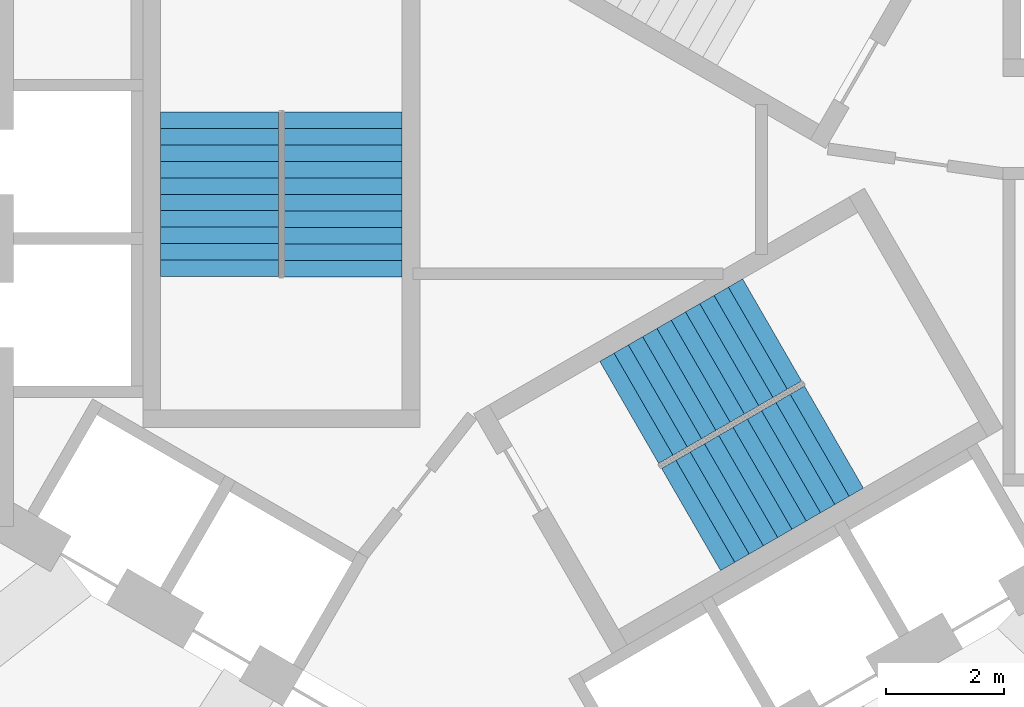
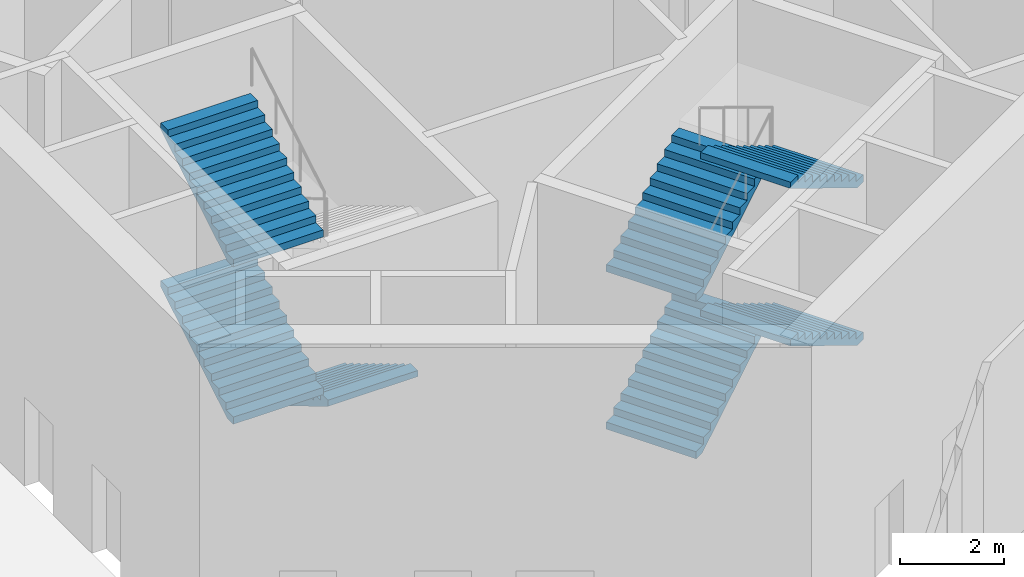
# One storey, part 11 of 16: 7 stair flights, 2 elements without a shape of their own.
"""IFC4 building model written with IfcOpenShell, lengths in metres."""

from ifc_helpers import new_model, si_unit, direction, frame, origin, place, context, subcontext, project, spatial, triangles, source, transform, mapped, material, type_object, element, aggregate, save


model = new_model("IFC4")

# Units and contexts
model_context = context("Model", 3, precision=1e-05, world=origin(), true_north=direction((0.0, 1.0)))
body_context = subcontext(model_context, "Body", "Model", "MODEL_VIEW")
ifc_project = project(units=[si_unit("LENGTHUNIT", "METRE"), si_unit("AREAUNIT", "SQUARE_METRE"), si_unit("VOLUMEUNIT", "CUBIC_METRE"), si_unit("PLANEANGLEUNIT", "RADIAN"), si_unit("MASSUNIT", "GRAM", prefix="KILO")], contexts=[model_context])

# Site, building, storey
site_placement = place(None, origin())
site = spatial("IfcSite", under=ifc_project, at=site_placement, CompositionType="ELEMENT")
building_placement = place(site_placement, origin())
building = spatial("IfcBuilding", under=site, at=building_placement, Name="Vanh Sen Convention Tower", CompositionType="ELEMENT")
storey_placement = place(building_placement, frame((0.0, 0.0, 278.300048828125)))
storey = spatial("IfcBuildingStorey", under=building, at=storey_placement, Name="L69", CompositionType="ELEMENT", Elevation=278.300048828125)

# Stair, stair flights
ifc_material_1 = material(Name="Concrete C50/60", Category="concrete")
stair_type_1 = type_object("IfcStairType", Name="Exit stair ST2 44 risers at 168.2", PredefinedType="HALF_TURN_STAIR", material=ifc_material_1)
stair_1_placement = place(storey_placement, origin())
stair_1 = element("IfcStair", 1, at=stair_1_placement, inside=storey, type_object=stair_type_1, Name="Exit stair ST2 L69", PredefinedType="HALF_TURN_STAIR")
ifc_material_2 = material(Name="Concrete C40/50", Category="concrete")
stair_flight_type = type_object("IfcStairFlightType", Name="Stair flight 2000", PredefinedType="STRAIGHT", material=ifc_material_2)
shared_shape = source(origin(), body_context, "Body", "Tessellation", [
    triangles([(0.24267578125, 1.0, 0.0), (0.0, 1.0, 0.0), (0.0, 1.0, 0.168212890625), (0.280029296875, 1.0, 0.168212890625), (0.280029296875, 1.0, 0.33642578125), (0.56005859375, 1.0, 0.33642578125), (0.56005859375, 1.0, 0.504638671875), (0.840087890625, 1.0, 0.504638671875), (0.840087890625, 1.0, 0.672607421875), (1.1201171875, 1.0, 0.672607421875), (1.1201171875, 1.0, 0.8408203125), (1.39990234375, 1.0, 0.8408203125), (1.39990234375, 1.0, 1.009033203125), (1.679931640625, 1.0, 1.009033203125), (1.679931640625, 1.0, 1.17724609375), (1.9599609375, 1.0, 1.17724609375), (1.9599609375, 1.0, 1.345458984375), (2.239990234375, 1.0, 1.345458984375), (2.239990234375, 1.0, 1.513671875), (2.52001953125, 1.0, 1.513671875), (2.52001953125, 1.0, 1.681884765625), (2.800048828125, 1.0, 1.681884765625), (2.800048828125, 1.0, 1.535888671875), (0.24267578125, -1.0, 0.0), (0.0, -1.0, 0.0), (0.0, -1.0, 0.168212890625), (0.280029296875, -1.0, 0.168212890625), (0.280029296875, -1.0, 0.33642578125), (0.56005859375, -1.0, 0.33642578125), (0.56005859375, -1.0, 0.504638671875), (0.840087890625, -1.0, 0.504638671875), (0.840087890625, -1.0, 0.672607421875), (1.1201171875, -1.0, 0.672607421875), (1.1201171875, -1.0, 0.8408203125), (1.39990234375, -1.0, 0.8408203125), (1.39990234375, -1.0, 1.009033203125), (1.679931640625, -1.0, 1.009033203125), (1.679931640625, -1.0, 1.17724609375), (1.9599609375, -1.0, 1.17724609375), (1.9599609375, -1.0, 1.345458984375), (2.239990234375, -1.0, 1.345458984375), (2.239990234375, -1.0, 1.513671875), (2.52001953125, -1.0, 1.513671875), (2.52001953125, -1.0, 1.681884765625), (2.800048828125, -1.0, 1.681884765625), (2.800048828125, -1.0, 1.535888671875), (0.0, 0.0400390625, 0.0), (0.0, 0.0390625, 0.0), (0.0, 0.0380859375, 0.0), (0.0, 0.037109375, 0.0), (0.0, 0.035888671875, 0.0), (0.0, 0.034912109375, 0.0), (0.0, 0.033935546875, 0.0), (0.0, 0.032958984375, 0.0), (0.0, 0.031982421875, 0.0), (0.0, 0.031005859375, 0.0), (0.0, 0.030029296875, 0.0), (0.0, 0.029052734375, 0.0), (0.0, 0.028076171875, 0.0), (0.0, 0.027099609375, 0.0), (0.0, 0.02587890625, 0.0), (0.0, 0.02490234375, 0.0), (0.0, 0.02392578125, 0.0), (0.0, 0.02294921875, 0.0), (0.0, 0.02197265625, 0.0), (0.0, 0.02099609375, 0.0), (0.0, 0.02001953125, 0.0), (0.0, 0.01904296875, 0.0), (0.0, 0.01806640625, 0.0), (0.0, 0.01708984375, 0.0), (0.0, 0.01611328125, 0.0), (0.0, 0.014892578125, 0.0), (0.0, 0.013916015625, 0.0), (0.0, 0.012939453125, 0.0), (0.0, 0.011962890625, 0.0), (0.0, 0.010986328125, 0.0), (0.0, 0.010009765625, 0.0), (0.0, 0.009033203125, 0.0), (0.0, 0.008056640625, 0.0), (0.0, 0.007080078125, 0.0), (0.0, 0.006103515625, 0.0), (0.0, 0.0048828125, 0.0), (0.0, 0.00390625, 0.0), (0.0, 0.0029296875, 0.0), (0.0, 0.001953125, 0.0), (0.0, 0.0009765625, 0.0), (0.0, 0.0, 0.0), (0.0, -0.0009765625, 0.0), (0.0, -0.001953125, 0.0), (0.0, -0.0029296875, 0.0), (0.0, -0.00390625, 0.0), (0.0, -0.0048828125, 0.0), (0.0, -0.006103515625, 0.0), (0.0, -0.007080078125, 0.0), (0.0, -0.008056640625, 0.0), (0.0, -0.009033203125, 0.0), (0.0, -0.010009765625, 0.0), (0.0, -0.010986328125, 0.0), (0.0, -0.011962890625, 0.0), (0.0, -0.012939453125, 0.0), (0.0, -0.013916015625, 0.0), (0.0, -0.014892578125, 0.0), (0.0, -0.01611328125, 0.0), (0.0, -0.01708984375, 0.0), (0.0, -0.01806640625, 0.0), (0.0, -0.01904296875, 0.0), (0.0, -0.02001953125, 0.0), (0.0, -0.02099609375, 0.0), (0.0, -0.02197265625, 0.0), (0.0, -0.02294921875, 0.0), (0.0, -0.02392578125, 0.0), (0.0, -0.02490234375, 0.0), (0.0, -0.02587890625, 0.0), (0.0, -0.027099609375, 0.0), (0.0, -0.028076171875, 0.0), (0.0, -0.029052734375, 0.0), (0.0, -0.030029296875, 0.0), (0.0, -0.031005859375, 0.0), (0.0, -0.031982421875, 0.0), (0.0, -0.032958984375, 0.0), (0.0, -0.033935546875, 0.0), (0.0, -0.034912109375, 0.0), (0.0, -0.035888671875, 0.0), (0.0, -0.037109375, 0.0), (0.0, -0.0380859375, 0.0), (0.0, -0.0390625, 0.0), (0.0, -0.0400390625, 0.0), (0.0, 0.0400390625, 0.168212890625), (0.0, 0.0390625, 0.168212890625), (0.0, 0.0380859375, 0.168212890625), (0.0, 0.037109375, 0.168212890625), (0.0, 0.035888671875, 0.168212890625), (0.0, 0.034912109375, 0.168212890625), (0.0, 0.033935546875, 0.168212890625), (0.0, 0.032958984375, 0.168212890625), (0.0, 0.031982421875, 0.168212890625), (0.0, 0.031005859375, 0.168212890625), (0.0, 0.030029296875, 0.168212890625), (0.0, 0.029052734375, 0.168212890625), (0.0, 0.028076171875, 0.168212890625), (0.0, 0.027099609375, 0.168212890625), (0.0, 0.02587890625, 0.168212890625), (0.0, 0.02490234375, 0.168212890625), (0.0, 0.02392578125, 0.168212890625), (0.0, 0.02294921875, 0.168212890625), (0.0, 0.02197265625, 0.168212890625), (0.0, 0.02099609375, 0.168212890625), (0.0, 0.02001953125, 0.168212890625), (0.0, 0.01904296875, 0.168212890625), (0.0, 0.01806640625, 0.168212890625), (0.0, 0.01708984375, 0.168212890625), (0.0, 0.01611328125, 0.168212890625), (0.0, 0.014892578125, 0.168212890625), (0.0, 0.013916015625, 0.168212890625), (0.0, 0.012939453125, 0.168212890625), (0.0, 0.011962890625, 0.168212890625), (0.0, 0.010986328125, 0.168212890625), (0.0, 0.010009765625, 0.168212890625), (0.0, 0.009033203125, 0.168212890625), (0.0, 0.008056640625, 0.168212890625), (0.0, 0.007080078125, 0.168212890625), (0.0, 0.006103515625, 0.168212890625), (0.0, 0.0048828125, 0.168212890625), (0.0, 0.00390625, 0.168212890625), (0.0, 0.0029296875, 0.168212890625), (0.0, 0.001953125, 0.168212890625), (0.0, 0.0009765625, 0.168212890625), (0.0, 0.0, 0.168212890625), (0.0, -0.0009765625, 0.168212890625), (0.0, -0.001953125, 0.168212890625), (0.0, -0.0029296875, 0.168212890625), (0.0, -0.00390625, 0.168212890625), (0.0, -0.0048828125, 0.168212890625), (0.0, -0.006103515625, 0.168212890625), (0.0, -0.007080078125, 0.168212890625), (0.0, -0.008056640625, 0.168212890625), (0.0, -0.009033203125, 0.168212890625), (0.0, -0.010009765625, 0.168212890625), (0.0, -0.010986328125, 0.168212890625), (0.0, -0.011962890625, 0.168212890625), (0.0, -0.012939453125, 0.168212890625), (0.0, -0.013916015625, 0.168212890625), (0.0, -0.014892578125, 0.168212890625), (0.0, -0.01611328125, 0.168212890625), (0.0, -0.01708984375, 0.168212890625), (0.0, -0.01806640625, 0.168212890625), (0.0, -0.01904296875, 0.168212890625), (0.0, -0.02001953125, 0.168212890625), (0.0, -0.02099609375, 0.168212890625), (0.0, -0.02197265625, 0.168212890625), (0.0, -0.02294921875, 0.168212890625), (0.0, -0.02392578125, 0.168212890625), (0.0, -0.02490234375, 0.168212890625), (0.0, -0.02587890625, 0.168212890625), (0.0, -0.027099609375, 0.168212890625), (0.0, -0.028076171875, 0.168212890625), (0.0, -0.029052734375, 0.168212890625), (0.0, -0.030029296875, 0.168212890625), (0.0, -0.031005859375, 0.168212890625), (0.0, -0.031982421875, 0.168212890625), (0.0, -0.032958984375, 0.168212890625), (0.0, -0.033935546875, 0.168212890625), (0.0, -0.034912109375, 0.168212890625), (0.0, -0.035888671875, 0.168212890625), (0.0, -0.037109375, 0.168212890625), (0.0, -0.0380859375, 0.168212890625), (0.0, -0.0390625, 0.168212890625), (0.0, -0.0400390625, 0.168212890625), (0.280029296875, 0.0, 0.168212890625), (0.280029296875, 0.0, 0.33642578125), (0.56005859375, 0.0, 0.33642578125), (0.56005859375, 0.0, 0.504638671875), (0.840087890625, 0.0, 0.504638671875), (0.840087890625, 0.0, 0.672607421875), (1.1201171875, 0.0, 0.672607421875), (1.1201171875, 0.0, 0.8408203125), (1.39990234375, 0.0, 0.8408203125), (1.39990234375, 0.0, 1.009033203125), (1.679931640625, 0.0, 1.009033203125), (1.679931640625, 0.0, 1.17724609375), (1.9599609375, 0.0, 1.17724609375), (1.9599609375, 0.0, 1.345458984375), (2.239990234375, 0.0, 1.345458984375), (2.239990234375, 0.0, 1.513671875), (2.52001953125, 0.0, 1.513671875), (2.52001953125, 0.0, 1.681884765625), (2.800048828125, 0.0400390625, 1.681884765625), (2.800048828125, 0.0390625, 1.681884765625), (2.800048828125, 0.0380859375, 1.681884765625), (2.800048828125, 0.037109375, 1.681884765625), (2.800048828125, 0.035888671875, 1.681884765625), (2.800048828125, 0.034912109375, 1.681884765625), (2.800048828125, 0.033935546875, 1.681884765625), (2.800048828125, 0.032958984375, 1.681884765625), (2.800048828125, 0.031982421875, 1.681884765625), (2.800048828125, 0.031005859375, 1.681884765625), (2.800048828125, 0.030029296875, 1.681884765625), (2.800048828125, 0.029052734375, 1.681884765625), (2.800048828125, 0.028076171875, 1.681884765625), (2.800048828125, 0.027099609375, 1.681884765625), (2.800048828125, 0.02587890625, 1.681884765625), (2.800048828125, 0.02490234375, 1.681884765625), (2.800048828125, 0.02392578125, 1.681884765625), (2.800048828125, 0.02294921875, 1.681884765625), (2.800048828125, 0.02197265625, 1.681884765625), (2.800048828125, 0.02099609375, 1.681884765625), (2.800048828125, 0.02001953125, 1.681884765625), (2.800048828125, 0.01904296875, 1.681884765625), (2.800048828125, 0.01806640625, 1.681884765625), (2.800048828125, 0.01708984375, 1.681884765625), (2.800048828125, 0.01611328125, 1.681884765625), (2.800048828125, 0.014892578125, 1.681884765625), (2.800048828125, 0.013916015625, 1.681884765625), (2.800048828125, 0.012939453125, 1.681884765625), (2.800048828125, 0.011962890625, 1.681884765625), (2.800048828125, 0.010986328125, 1.681884765625), (2.800048828125, 0.010009765625, 1.681884765625), (2.800048828125, 0.009033203125, 1.681884765625), (2.800048828125, 0.008056640625, 1.681884765625), (2.800048828125, 0.007080078125, 1.681884765625), (2.800048828125, 0.006103515625, 1.681884765625), (2.800048828125, 0.0048828125, 1.681884765625), (2.800048828125, 0.00390625, 1.681884765625), (2.800048828125, 0.0029296875, 1.681884765625), (2.800048828125, 0.001953125, 1.681884765625), (2.800048828125, 0.0009765625, 1.681884765625), (2.800048828125, 0.0, 1.681884765625), (2.800048828125, -0.0009765625, 1.681884765625), (2.800048828125, -0.001953125, 1.681884765625), (2.800048828125, -0.0029296875, 1.681884765625), (2.800048828125, -0.00390625, 1.681884765625), (2.800048828125, -0.0048828125, 1.681884765625), (2.800048828125, -0.006103515625, 1.681884765625), (2.800048828125, -0.007080078125, 1.681884765625), (2.800048828125, -0.008056640625, 1.681884765625), (2.800048828125, -0.009033203125, 1.681884765625), (2.800048828125, -0.010009765625, 1.681884765625), (2.800048828125, -0.010986328125, 1.681884765625), (2.800048828125, -0.011962890625, 1.681884765625), (2.800048828125, -0.012939453125, 1.681884765625), (2.800048828125, -0.013916015625, 1.681884765625), (2.800048828125, -0.014892578125, 1.681884765625), (2.800048828125, -0.01611328125, 1.681884765625), (2.800048828125, -0.01708984375, 1.681884765625), (2.800048828125, -0.01806640625, 1.681884765625), (2.800048828125, -0.01904296875, 1.681884765625), (2.800048828125, -0.02001953125, 1.681884765625), (2.800048828125, -0.02099609375, 1.681884765625), (2.800048828125, -0.02197265625, 1.681884765625), (2.800048828125, -0.02294921875, 1.681884765625), (2.800048828125, -0.02392578125, 1.681884765625), (2.800048828125, -0.02490234375, 1.681884765625), (2.800048828125, -0.02587890625, 1.681884765625), (2.800048828125, -0.027099609375, 1.681884765625), (2.800048828125, -0.028076171875, 1.681884765625), (2.800048828125, -0.029052734375, 1.681884765625), (2.800048828125, -0.030029296875, 1.681884765625), (2.800048828125, -0.031005859375, 1.681884765625), (2.800048828125, -0.031982421875, 1.681884765625), (2.800048828125, -0.032958984375, 1.681884765625), (2.800048828125, -0.033935546875, 1.681884765625), (2.800048828125, -0.034912109375, 1.681884765625), (2.800048828125, -0.035888671875, 1.681884765625), (2.800048828125, -0.037109375, 1.681884765625), (2.800048828125, -0.0380859375, 1.681884765625), (2.800048828125, -0.0390625, 1.681884765625), (2.800048828125, -0.0400390625, 1.681884765625), (2.800048828125, 0.0400390625, 1.535888671875), (2.800048828125, 0.0390625, 1.535888671875), (2.800048828125, 0.0380859375, 1.535888671875), (2.800048828125, 0.037109375, 1.535888671875), (2.800048828125, 0.035888671875, 1.535888671875), (2.800048828125, 0.034912109375, 1.535888671875), (2.800048828125, 0.033935546875, 1.535888671875), (2.800048828125, 0.032958984375, 1.535888671875), (2.800048828125, 0.031982421875, 1.535888671875), (2.800048828125, 0.031005859375, 1.535888671875), (2.800048828125, 0.030029296875, 1.535888671875), (2.800048828125, 0.029052734375, 1.535888671875), (2.800048828125, 0.028076171875, 1.535888671875), (2.800048828125, 0.027099609375, 1.535888671875), (2.800048828125, 0.02587890625, 1.535888671875), (2.800048828125, 0.02490234375, 1.535888671875), (2.800048828125, 0.02392578125, 1.535888671875), (2.800048828125, 0.02294921875, 1.535888671875), (2.800048828125, 0.02197265625, 1.535888671875), (2.800048828125, 0.02099609375, 1.535888671875), (2.800048828125, 0.02001953125, 1.535888671875), (2.800048828125, 0.01904296875, 1.535888671875), (2.800048828125, 0.01806640625, 1.535888671875), (2.800048828125, 0.01708984375, 1.535888671875), (2.800048828125, 0.01611328125, 1.535888671875), (2.800048828125, 0.014892578125, 1.535888671875), (2.800048828125, 0.013916015625, 1.535888671875), (2.800048828125, 0.012939453125, 1.535888671875), (2.800048828125, 0.011962890625, 1.535888671875), (2.800048828125, 0.010986328125, 1.535888671875), (2.800048828125, 0.010009765625, 1.535888671875), (2.800048828125, 0.009033203125, 1.535888671875), (2.800048828125, 0.008056640625, 1.535888671875), (2.800048828125, 0.007080078125, 1.535888671875), (2.800048828125, 0.006103515625, 1.535888671875), (2.800048828125, 0.0048828125, 1.535888671875), (2.800048828125, 0.00390625, 1.535888671875), (2.800048828125, 0.0029296875, 1.535888671875), (2.800048828125, 0.001953125, 1.535888671875), (2.800048828125, 0.0009765625, 1.535888671875), (2.800048828125, 0.0, 1.535888671875), (2.800048828125, -0.0009765625, 1.535888671875), (2.800048828125, -0.001953125, 1.535888671875), (2.800048828125, -0.0029296875, 1.535888671875), (2.800048828125, -0.00390625, 1.535888671875), (2.800048828125, -0.0048828125, 1.535888671875), (2.800048828125, -0.006103515625, 1.535888671875), (2.800048828125, -0.007080078125, 1.535888671875), (2.800048828125, -0.008056640625, 1.535888671875), (2.800048828125, -0.009033203125, 1.535888671875), (2.800048828125, -0.010009765625, 1.535888671875), (2.800048828125, -0.010986328125, 1.535888671875), (2.800048828125, -0.011962890625, 1.535888671875), (2.800048828125, -0.012939453125, 1.535888671875), (2.800048828125, -0.013916015625, 1.535888671875), (2.800048828125, -0.014892578125, 1.535888671875), (2.800048828125, -0.01611328125, 1.535888671875), (2.800048828125, -0.01708984375, 1.535888671875), (2.800048828125, -0.01806640625, 1.535888671875), (2.800048828125, -0.01904296875, 1.535888671875), (2.800048828125, -0.02001953125, 1.535888671875), (2.800048828125, -0.02099609375, 1.535888671875), (2.800048828125, -0.02197265625, 1.535888671875), (2.800048828125, -0.02294921875, 1.535888671875), (2.800048828125, -0.02392578125, 1.535888671875), (2.800048828125, -0.02490234375, 1.535888671875), (2.800048828125, -0.02587890625, 1.535888671875), (2.800048828125, -0.027099609375, 1.535888671875), (2.800048828125, -0.028076171875, 1.535888671875), (2.800048828125, -0.029052734375, 1.535888671875), (2.800048828125, -0.030029296875, 1.535888671875), (2.800048828125, -0.031005859375, 1.535888671875), (2.800048828125, -0.031982421875, 1.535888671875), (2.800048828125, -0.032958984375, 1.535888671875), (2.800048828125, -0.033935546875, 1.535888671875), (2.800048828125, -0.034912109375, 1.535888671875), (2.800048828125, -0.035888671875, 1.535888671875), (2.800048828125, -0.037109375, 1.535888671875), (2.800048828125, -0.0380859375, 1.535888671875), (2.800048828125, -0.0390625, 1.535888671875), (2.800048828125, -0.0400390625, 1.535888671875), (0.24267578125, 0.0, 0.0)], [[1, 2, 3], [1, 3, 4], [4, 5, 6], [1, 4, 6], [6, 7, 8], [1, 6, 8], [8, 9, 10], [1, 8, 10], [10, 11, 12], [1, 10, 12], [12, 13, 14], [1, 12, 14], [14, 15, 16], [1, 14, 16], [16, 17, 18], [1, 16, 18], [18, 19, 20], [1, 18, 20], [20, 21, 22], [1, 20, 22], [22, 23, 1], [24, 26, 25], [24, 27, 26], [27, 29, 28], [24, 29, 27], [29, 31, 30], [24, 31, 29], [31, 33, 32], [24, 33, 31], [33, 35, 34], [24, 35, 33], [35, 37, 36], [24, 37, 35], [37, 39, 38], [24, 39, 37], [39, 41, 40], [24, 41, 39], [41, 43, 42], [24, 43, 41], [43, 45, 44], [24, 45, 43], [45, 24, 46], [2, 128, 3], [2, 47, 128], [47, 129, 128], [47, 48, 129], [48, 130, 129], [48, 49, 130], [49, 131, 130], [49, 50, 131], [50, 132, 131], [50, 51, 132], [51, 133, 132], [51, 52, 133], [52, 134, 133], [52, 53, 134], [53, 135, 134], [53, 54, 135], [54, 136, 135], [54, 55, 136], [55, 137, 136], [55, 56, 137], [56, 138, 137], [56, 57, 138], [57, 139, 138], [57, 58, 139], [58, 140, 139], [58, 59, 140], [59, 141, 140], [59, 60, 141], [60, 142, 141], [60, 61, 142], [61, 143, 142], [61, 62, 143], [62, 144, 143], [62, 63, 144], [63, 145, 144], [63, 64, 145], [64, 146, 145], [64, 65, 146], [65, 147, 146], [65, 66, 147], [66, 148, 147], [66, 67, 148], [67, 149, 148], [67, 68, 149], [68, 150, 149], [68, 69, 150], [69, 151, 150], [69, 70, 151], [70, 152, 151], [70, 71, 152], [71, 153, 152], [71, 72, 153], [72, 154, 153], [72, 73, 154], [73, 155, 154], [73, 74, 155], [74, 156, 155], [74, 75, 156], [75, 157, 156], [75, 76, 157], [76, 158, 157], [76, 77, 158], [77, 159, 158], [77, 78, 159], [78, 160, 159], [78, 79, 160], [79, 161, 160], [79, 80, 161], [80, 162, 161], [80, 81, 162], [81, 163, 162], [81, 82, 163], [82, 164, 163], [82, 83, 164], [83, 165, 164], [83, 84, 165], [84, 166, 165], [84, 85, 166], [85, 167, 166], [85, 86, 167], [86, 168, 167], [86, 87, 168], [87, 88, 168], [168, 88, 169], [88, 89, 169], [169, 89, 170], [89, 90, 170], [170, 90, 171], [90, 91, 171], [171, 91, 172], [91, 92, 172], [172, 92, 173], [92, 93, 173], [173, 93, 174], [93, 94, 174], [174, 94, 175], [94, 95, 175], [175, 95, 176], [95, 96, 176], [176, 96, 177], [96, 97, 177], [177, 97, 178], [97, 98, 178], [178, 98, 179], [98, 99, 179], [179, 99, 180], [99, 100, 180], [180, 100, 181], [100, 101, 181], [181, 101, 182], [101, 102, 182], [182, 102, 183], [102, 103, 183], [183, 103, 184], [103, 104, 184], [184, 104, 185], [104, 105, 185], [185, 105, 186], [105, 106, 186], [186, 106, 187], [106, 107, 187], [187, 107, 188], [107, 108, 188], [188, 108, 189], [108, 109, 189], [189, 109, 190], [109, 110, 190], [190, 110, 191], [110, 111, 191], [191, 111, 192], [111, 112, 192], [192, 112, 193], [112, 113, 193], [193, 113, 194], [113, 114, 194], [194, 114, 195], [114, 115, 195], [195, 115, 196], [115, 116, 196], [196, 116, 197], [116, 117, 197], [197, 117, 198], [117, 118, 198], [198, 118, 199], [118, 119, 199], [199, 119, 200], [119, 120, 200], [200, 120, 201], [120, 121, 201], [201, 121, 202], [121, 122, 202], [202, 122, 203], [122, 123, 203], [203, 123, 204], [123, 124, 204], [204, 124, 205], [124, 125, 205], [205, 125, 206], [125, 126, 206], [206, 126, 207], [126, 127, 207], [207, 127, 208], [127, 25, 208], [208, 25, 26], [4, 3, 128], [4, 128, 129], [4, 129, 130], [4, 130, 131], [4, 131, 132], [4, 132, 133], [4, 133, 134], [4, 134, 135], [4, 135, 136], [4, 136, 137], [4, 137, 138], [4, 138, 139], [4, 139, 140], [4, 140, 141], [4, 141, 142], [4, 142, 143], [4, 143, 144], [4, 144, 145], [4, 145, 146], [4, 146, 147], [4, 147, 148], [4, 148, 149], [4, 149, 150], [4, 150, 151], [4, 151, 152], [4, 152, 153], [4, 153, 154], [4, 154, 155], [4, 155, 156], [4, 156, 157], [4, 157, 158], [4, 158, 159], [4, 159, 160], [4, 160, 161], [4, 161, 162], [4, 162, 163], [4, 163, 164], [4, 164, 165], [4, 165, 166], [4, 166, 167], [4, 167, 168], [27, 168, 169], [27, 169, 170], [27, 170, 171], [27, 171, 172], [27, 172, 173], [27, 173, 174], [27, 174, 175], [27, 175, 176], [27, 176, 177], [27, 177, 178], [27, 178, 179], [27, 179, 180], [27, 180, 181], [27, 181, 182], [27, 182, 183], [27, 183, 184], [27, 184, 185], [27, 185, 186], [27, 186, 187], [27, 187, 188], [27, 188, 189], [27, 189, 190], [27, 190, 191], [27, 191, 192], [27, 192, 193], [27, 193, 194], [27, 194, 195], [27, 195, 196], [27, 196, 197], [27, 197, 198], [27, 198, 199], [27, 199, 200], [27, 200, 201], [27, 201, 202], [27, 202, 203], [27, 203, 204], [27, 204, 205], [27, 205, 206], [27, 206, 207], [27, 207, 208], [27, 208, 26], [4, 168, 209], [27, 209, 168], [4, 210, 5], [4, 209, 210], [209, 27, 210], [210, 27, 28], [5, 211, 6], [5, 210, 211], [210, 28, 211], [211, 28, 29], [6, 212, 7], [6, 211, 212], [211, 29, 212], [212, 29, 30], [7, 213, 8], [7, 212, 213], [212, 30, 213], [213, 30, 31], [8, 214, 9], [8, 213, 214], [213, 31, 214], [214, 31, 32], [9, 215, 10], [9, 214, 215], [214, 32, 215], [215, 32, 33], [10, 216, 11], [10, 215, 216], [215, 33, 216], [216, 33, 34], [11, 217, 12], [11, 216, 217], [216, 34, 217], [217, 34, 35], [12, 218, 13], [12, 217, 218], [217, 35, 218], [218, 35, 36], [13, 219, 14], [13, 218, 219], [218, 36, 219], [219, 36, 37], [14, 220, 15], [14, 219, 220], [219, 37, 220], [220, 37, 38], [15, 221, 16], [15, 220, 221], [220, 38, 221], [221, 38, 39], [16, 222, 17], [16, 221, 222], [221, 39, 222], [222, 39, 40], [17, 223, 18], [17, 222, 223], [222, 40, 223], [223, 40, 41], [18, 224, 19], [18, 223, 224], [223, 41, 224], [224, 41, 42], [19, 225, 20], [19, 224, 225], [224, 42, 225], [225, 42, 43], [20, 226, 21], [20, 225, 226], [225, 43, 226], [226, 43, 44], [21, 227, 22], [21, 228, 227], [21, 229, 228], [21, 230, 229], [21, 231, 230], [21, 232, 231], [21, 233, 232], [21, 234, 233], [21, 235, 234], [21, 236, 235], [21, 237, 236], [21, 238, 237], [21, 239, 238], [21, 240, 239], [21, 241, 240], [21, 242, 241], [21, 243, 242], [21, 244, 243], [21, 245, 244], [21, 246, 245], [21, 247, 246], [21, 248, 247], [21, 249, 248], [21, 250, 249], [21, 251, 250], [21, 252, 251], [21, 253, 252], [21, 254, 253], [21, 255, 254], [21, 256, 255], [21, 257, 256], [21, 258, 257], [21, 259, 258], [21, 260, 259], [21, 261, 260], [21, 262, 261], [21, 263, 262], [21, 264, 263], [21, 265, 264], [21, 266, 265], [21, 267, 266], [44, 268, 267], [44, 269, 268], [44, 270, 269], [44, 271, 270], [44, 272, 271], [44, 273, 272], [44, 274, 273], [44, 275, 274], [44, 276, 275], [44, 277, 276], [44, 278, 277], [44, 279, 278], [44, 280, 279], [44, 281, 280], [44, 282, 281], [44, 283, 282], [44, 284, 283], [44, 285, 284], [44, 286, 285], [44, 287, 286], [44, 288, 287], [44, 289, 288], [44, 290, 289], [44, 291, 290], [44, 292, 291], [44, 293, 292], [44, 294, 293], [44, 295, 294], [44, 296, 295], [44, 297, 296], [44, 298, 297], [44, 299, 298], [44, 300, 299], [44, 301, 300], [44, 302, 301], [44, 303, 302], [44, 304, 303], [44, 305, 304], [44, 306, 305], [44, 307, 306], [44, 45, 307], [21, 226, 267], [44, 267, 226], [22, 308, 23], [22, 227, 308], [227, 309, 308], [227, 228, 309], [228, 310, 309], [228, 229, 310], [229, 311, 310], [229, 230, 311], [230, 312, 311], [230, 231, 312], [231, 313, 312], [231, 232, 313], [232, 314, 313], [232, 233, 314], [233, 315, 314], [233, 234, 315], [234, 316, 315], [234, 235, 316], [235, 317, 316], [235, 236, 317], [236, 318, 317], [236, 237, 318], [237, 319, 318], [237, 238, 319], [238, 320, 319], [238, 239, 320], [239, 321, 320], [239, 240, 321], [240, 322, 321], [240, 241, 322], [241, 323, 322], [241, 242, 323], [242, 324, 323], [242, 243, 324], [243, 325, 324], [243, 244, 325], [244, 326, 325], [244, 245, 326], [245, 327, 326], [245, 246, 327], [246, 328, 327], [246, 247, 328], [247, 329, 328], [247, 248, 329], [248, 330, 329], [248, 249, 330], [249, 331, 330], [249, 250, 331], [250, 332, 331], [250, 251, 332], [251, 333, 332], [251, 252, 333], [252, 334, 333], [252, 253, 334], [253, 335, 334], [253, 254, 335], [254, 336, 335], [254, 255, 336], [255, 337, 336], [255, 256, 337], [256, 338, 337], [256, 257, 338], [257, 339, 338], [257, 258, 339], [258, 340, 339], [258, 259, 340], [259, 341, 340], [259, 260, 341], [260, 342, 341], [260, 261, 342], [261, 343, 342], [261, 262, 343], [262, 344, 343], [262, 263, 344], [263, 345, 344], [263, 264, 345], [264, 346, 345], [264, 265, 346], [265, 347, 346], [265, 266, 347], [266, 348, 347], [266, 267, 348], [267, 268, 348], [348, 268, 349], [268, 269, 349], [349, 269, 350], [269, 270, 350], [350, 270, 351], [270, 271, 351], [351, 271, 352], [271, 272, 352], [352, 272, 353], [272, 273, 353], [353, 273, 354], [273, 274, 354], [354, 274, 355], [274, 275, 355], [355, 275, 356], [275, 276, 356], [356, 276, 357], [276, 277, 357], [357, 277, 358], [277, 278, 358], [358, 278, 359], [278, 279, 359], [359, 279, 360], [279, 280, 360], [360, 280, 361], [280, 281, 361], [361, 281, 362], [281, 282, 362], [362, 282, 363], [282, 283, 363], [363, 283, 364], [283, 284, 364], [364, 284, 365], [284, 285, 365], [365, 285, 366], [285, 286, 366], [366, 286, 367], [286, 287, 367], [367, 287, 368], [287, 288, 368], [368, 288, 369], [288, 289, 369], [369, 289, 370], [289, 290, 370], [370, 290, 371], [290, 291, 371], [371, 291, 372], [291, 292, 372], [372, 292, 373], [292, 293, 373], [373, 293, 374], [293, 294, 374], [374, 294, 375], [294, 295, 375], [375, 295, 376], [295, 296, 376], [376, 296, 377], [296, 297, 377], [377, 297, 378], [297, 298, 378], [378, 298, 379], [298, 299, 379], [379, 299, 380], [299, 300, 380], [380, 300, 381], [300, 301, 381], [381, 301, 382], [301, 302, 382], [382, 302, 383], [302, 303, 383], [383, 303, 384], [303, 304, 384], [384, 304, 385], [304, 305, 385], [385, 305, 386], [305, 306, 386], [386, 306, 387], [306, 307, 387], [387, 307, 388], [307, 45, 388], [388, 45, 46], [1, 23, 308], [1, 308, 309], [1, 309, 310], [1, 310, 311], [1, 311, 312], [1, 312, 313], [1, 313, 314], [1, 314, 315], [1, 315, 316], [1, 316, 317], [1, 317, 318], [1, 318, 319], [1, 319, 320], [1, 320, 321], [1, 321, 322], [1, 322, 323], [1, 323, 324], [1, 324, 325], [1, 325, 326], [1, 326, 327], [1, 327, 328], [1, 328, 329], [1, 329, 330], [1, 330, 331], [1, 331, 332], [1, 332, 333], [1, 333, 334], [1, 334, 335], [1, 335, 336], [1, 336, 337], [1, 337, 338], [1, 338, 339], [1, 339, 340], [1, 340, 341], [1, 341, 342], [1, 342, 343], [1, 343, 344], [1, 344, 345], [1, 345, 346], [1, 346, 347], [1, 347, 348], [24, 348, 349], [24, 349, 350], [24, 350, 351], [24, 351, 352], [24, 352, 353], [24, 353, 354], [24, 354, 355], [24, 355, 356], [24, 356, 357], [24, 357, 358], [24, 358, 359], [24, 359, 360], [24, 360, 361], [24, 361, 362], [24, 362, 363], [24, 363, 364], [24, 364, 365], [24, 365, 366], [24, 366, 367], [24, 367, 368], [24, 368, 369], [24, 369, 370], [24, 370, 371], [24, 371, 372], [24, 372, 373], [24, 373, 374], [24, 374, 375], [24, 375, 376], [24, 376, 377], [24, 377, 378], [24, 378, 379], [24, 379, 380], [24, 380, 381], [24, 381, 382], [24, 382, 383], [24, 383, 384], [24, 384, 385], [24, 385, 386], [24, 386, 387], [24, 387, 388], [24, 388, 46], [1, 348, 389], [24, 389, 348], [1, 47, 2], [1, 48, 47], [1, 49, 48], [1, 50, 49], [1, 51, 50], [1, 52, 51], [1, 53, 52], [1, 54, 53], [1, 55, 54], [1, 56, 55], [1, 57, 56], [1, 58, 57], [1, 59, 58], [1, 60, 59], [1, 61, 60], [1, 62, 61], [1, 63, 62], [1, 64, 63], [1, 65, 64], [1, 66, 65], [1, 67, 66], [1, 68, 67], [1, 69, 68], [1, 70, 69], [1, 71, 70], [1, 72, 71], [1, 73, 72], [1, 74, 73], [1, 75, 74], [1, 76, 75], [1, 77, 76], [1, 78, 77], [1, 79, 78], [1, 80, 79], [1, 81, 80], [1, 82, 81], [1, 83, 82], [1, 84, 83], [1, 85, 84], [1, 86, 85], [1, 87, 86], [24, 88, 87], [24, 89, 88], [24, 90, 89], [24, 91, 90], [24, 92, 91], [24, 93, 92], [24, 94, 93], [24, 95, 94], [24, 96, 95], [24, 97, 96], [24, 98, 97], [24, 99, 98], [24, 100, 99], [24, 101, 100], [24, 102, 101], [24, 103, 102], [24, 104, 103], [24, 105, 104], [24, 106, 105], [24, 107, 106], [24, 108, 107], [24, 109, 108], [24, 110, 109], [24, 111, 110], [24, 112, 111], [24, 113, 112], [24, 114, 113], [24, 115, 114], [24, 116, 115], [24, 117, 116], [24, 118, 117], [24, 119, 118], [24, 120, 119], [24, 121, 120], [24, 122, 121], [24, 123, 122], [24, 124, 123], [24, 125, 124], [24, 126, 125], [24, 127, 126], [24, 25, 127], [1, 389, 87], [24, 87, 389]], closed=True),
])
stair_flight_1_placement = place(storey_placement, frame((-3.89990234375, 1.14990234375, 0.0), z_axis=(0.0, 0.0, 1.0), x_axis=(0.0, -1.0, 0.0)))
stair_flight_1 = element("IfcStairFlight", 2, at=stair_flight_1_placement, type_object=stair_flight_type, Name="ST2 flight 1", NumberOfRisers=11, NumberOfTreads=10, PredefinedType="STRAIGHT", RiserHeight=0.168181818, TreadLength=0.28, context=body_context, shape_type="MappedRepresentation", body=[
    mapped(shared_shape, transform((0.0, 0.0, 0.0))),
])
stair_flight_2_placement = place(storey_placement, frame((-6.0, -1.64990234375, 1.849853515625), z_axis=(0.0, 0.0, 1.0), x_axis=(0.0, 1.0, 0.0)))
stair_flight_2 = element("IfcStairFlight", 3, at=stair_flight_2_placement, type_object=stair_flight_type, Name="ST2 flight 2", NumberOfRisers=11, NumberOfTreads=10, PredefinedType="STRAIGHT", RiserHeight=0.168181818, TreadLength=0.28, context=body_context, shape_type="MappedRepresentation", body=[
    mapped(shared_shape, transform((0.0, 0.0, 0.0))),
])
stair_flight_3_placement = place(storey_placement, frame((-6.0, -1.64990234375, 5.550048828125), z_axis=(0.0, 0.0, 1.0), x_axis=(0.0, 1.0, 0.0)))
stair_flight_3 = element("IfcStairFlight", 4, at=stair_flight_3_placement, type_object=stair_flight_type, Name="ST2 flight 4", NumberOfRisers=11, NumberOfTreads=10, PredefinedType="STRAIGHT", RiserHeight=0.168181818, TreadLength=0.28, context=body_context, shape_type="MappedRepresentation", body=[
    mapped(shared_shape, transform((0.0, 0.0, 0.0))),
])
aggregate(stair_1, [stair_flight_1, stair_flight_2, stair_flight_3])

stair_type_2 = type_object("IfcStairType", Name="Exit stair ST3 44 risers at 168.2", PredefinedType="HALF_TURN_STAIR", material=ifc_material_1)
stair_2_placement = place(storey_placement, origin())
stair_2 = element("IfcStair", 5, at=stair_2_placement, inside=storey, type_object=stair_type_2, Name="Exit stair ST3 L69", PredefinedType="HALF_TURN_STAIR")
stair_flight_4_placement = place(storey_placement, frame((0.9541015625, -3.952392578125, 0.0), z_axis=(0.0, 0.0, 1.0), x_axis=(0.866025403784, 0.5, 0.0)))
stair_flight_4 = element("IfcStairFlight", 6, at=stair_flight_4_placement, type_object=stair_flight_type, Name="ST3 flight 1", NumberOfRisers=11, NumberOfTreads=10, PredefinedType="STRAIGHT", RiserHeight=0.168181818, TreadLength=0.28, context=body_context, shape_type="MappedRepresentation", body=[
    mapped(shared_shape, transform((0.0, 0.0, 0.0))),
])
stair_flight_5_placement = place(storey_placement, frame((4.428955078125, -4.37109375, 1.849853515625), z_axis=(0.0, 0.0, 1.0), x_axis=(-0.866025403784, -0.5, 0.0)))
stair_flight_5 = element("IfcStairFlight", 7, at=stair_flight_5_placement, type_object=stair_flight_type, Name="ST3 flight 2", NumberOfRisers=11, NumberOfTreads=10, PredefinedType="STRAIGHT", RiserHeight=0.168181818, TreadLength=0.28, context=body_context, shape_type="MappedRepresentation", body=[
    mapped(shared_shape, transform((0.0, 0.0, 0.0))),
])
stair_flight_6_placement = place(storey_placement, frame((0.9541015625, -3.952392578125, 3.699951171875), z_axis=(0.0, 0.0, 1.0), x_axis=(0.866025403784, 0.5, 0.0)))
stair_flight_6 = element("IfcStairFlight", 8, at=stair_flight_6_placement, type_object=stair_flight_type, Name="ST3 flight 3", NumberOfRisers=11, NumberOfTreads=10, PredefinedType="STRAIGHT", RiserHeight=0.168181818, TreadLength=0.28, context=body_context, shape_type="MappedRepresentation", body=[
    mapped(shared_shape, transform((0.0, 0.0, 0.0))),
])
stair_flight_7_placement = place(storey_placement, frame((4.428955078125, -4.37109375, 5.550048828125), z_axis=(0.0, 0.0, 1.0), x_axis=(-0.866025403784, -0.5, 0.0)))
stair_flight_7 = element("IfcStairFlight", 9, at=stair_flight_7_placement, type_object=stair_flight_type, Name="ST3 flight 4", NumberOfRisers=11, NumberOfTreads=10, PredefinedType="STRAIGHT", RiserHeight=0.168181818, TreadLength=0.28, context=body_context, shape_type="MappedRepresentation", body=[
    mapped(shared_shape, transform((0.0, 0.0, 0.0))),
])
aggregate(stair_2, [stair_flight_4, stair_flight_5, stair_flight_6, stair_flight_7])

save(model, "model.ifc")
